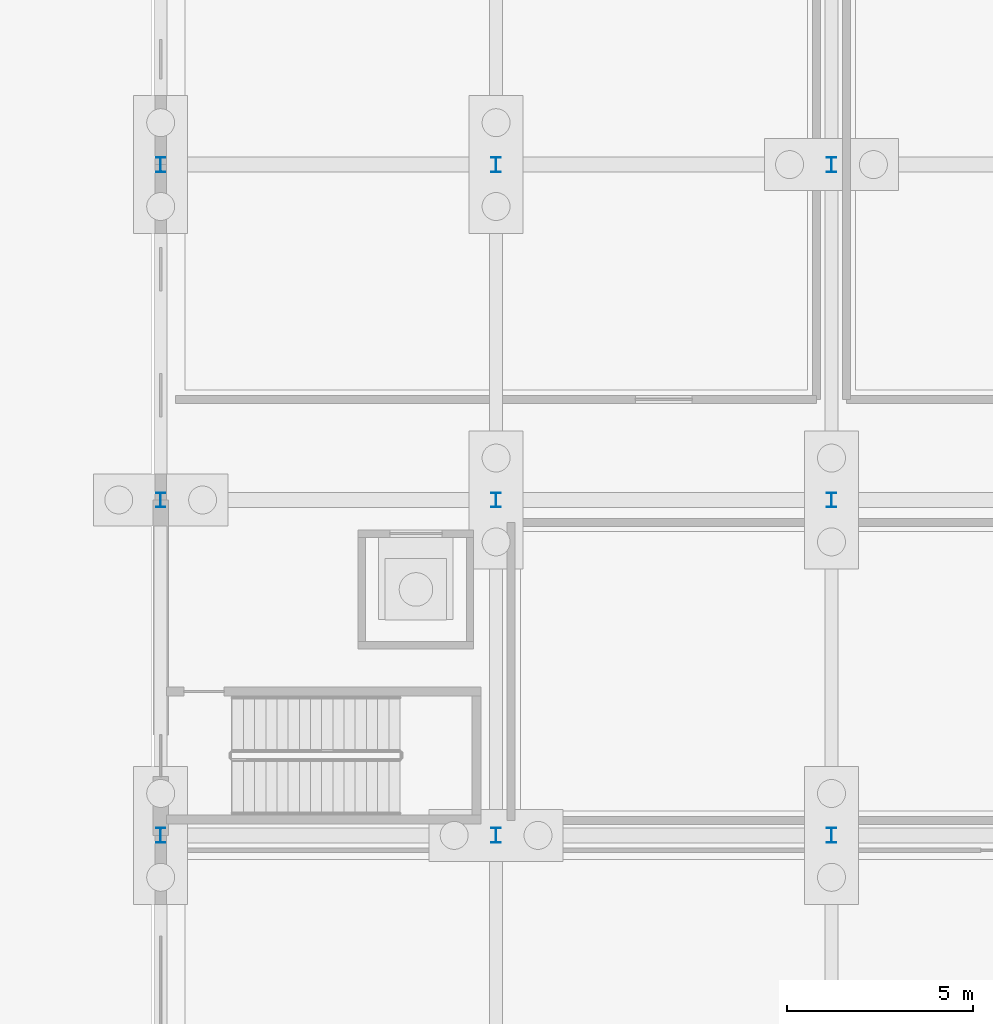
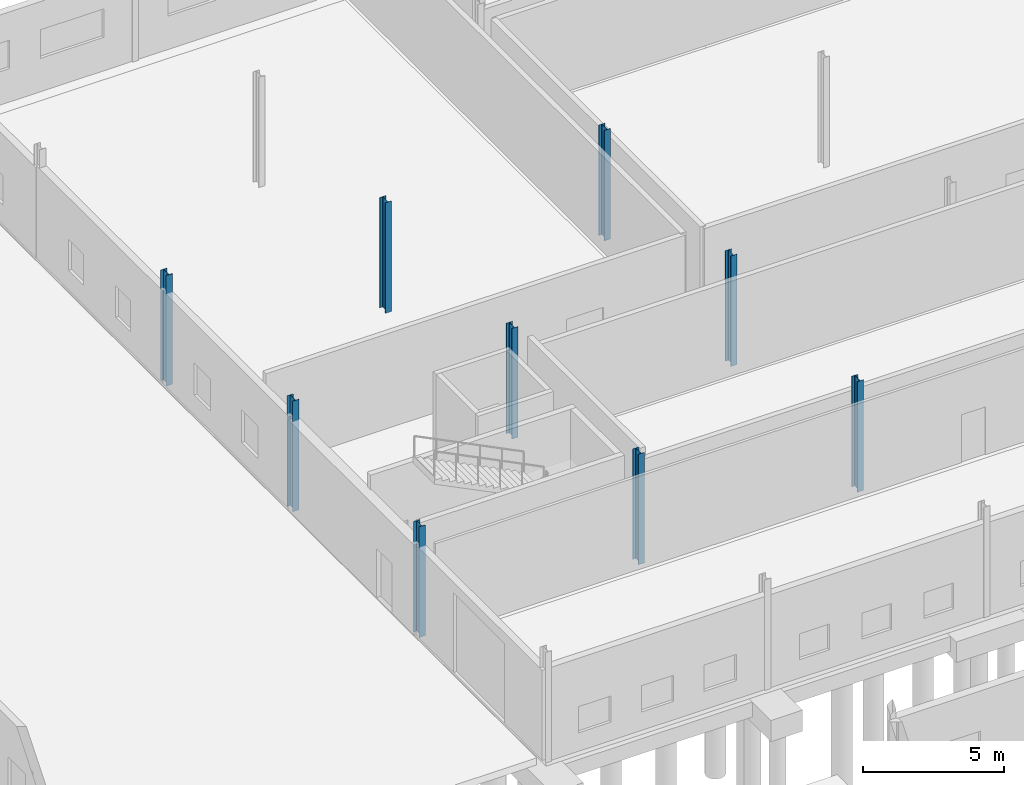
# One storey, part 39 of 112: 9 columns.
"""IFC4 building model written with IfcOpenShell, lengths in metres."""

from ifc_helpers import new_model, si_unit, direction, frame, origin, origin_2d, place, context, subcontext, project, spatial, i_section, extrude, material, material_profile, profile_set, type_object, element, save


model = new_model("IFC4")

# Units and contexts
model_context = context("Model", 3, precision=1e-05, world=origin(), true_north=direction((0.0, 1.0)))
body_context = subcontext(model_context, "Body", "Model", "MODEL_VIEW")
ifc_project = project(units=[si_unit("LENGTHUNIT", "METRE"), si_unit("AREAUNIT", "SQUARE_METRE"), si_unit("VOLUMEUNIT", "CUBIC_METRE"), si_unit("PLANEANGLEUNIT", "RADIAN"), si_unit("MASSUNIT", "GRAM", prefix="KILO")], contexts=[model_context])

# Site, building, storey
site_placement = place(None, origin())
site = spatial("IfcSite", under=ifc_project, at=site_placement, CompositionType="ELEMENT")
building_placement = place(site_placement, origin())
building = spatial("IfcBuilding", under=site, at=building_placement, Name="Tharagai Park Tramway Depot", CompositionType="ELEMENT")
storey_placement = place(building_placement, origin())
storey = spatial("IfcBuildingStorey", under=building, at=storey_placement, Name="L00", CompositionType="ELEMENT", Elevation=0.0)

# Columns
ifc_material = material(Name="Steel E350", Category="steel")
ifc_material_profile = material_profile(ifc_material, i_section(OverallWidth=0.25, OverallDepth=0.39990234375, WebThickness=0.010498046875, FlangeThickness=0.0126953125, FilletRadius=0.013916015625, at=origin_2d()), Name="ISHB 400")
ifc_profile_set = profile_set([ifc_material_profile], Name="Steel E350")
column_type = type_object("IfcColumnType", Name="CL-06", PredefinedType="COLUMN", material=ifc_profile_set)
for number, where, z_axis, x_axis, name in (
    (1, (162.0, 99.0, 0.0), (0.0, 0.0, 1.0), (1.0, 0.0, 0.0), "L00 Structural Column CL-06 (162,99)"),
    (2, (162.0, 108.0, 0.0), (0.0, 0.0, 1.0), (1.0, 0.0, 0.0), "L00 Structural Column CL-06 (162,108)"),
    (3, (162.0, 117.0, 0.0), (0.0, 0.0, 1.0), (1.0, 0.0, 0.0), "L00 Structural Column CL-06 (162,117)"),
    (4, (171.0, 99.0, 0.0), (0.0, 0.0, 1.0), (1.0, 0.0, 0.0), "L00 Structural Column CL-06 (171,99)"),
    (5, (171.0, 108.0, 0.0), (0.0, 0.0, 1.0), (1.0, 0.0, 0.0), "L00 Structural Column CL-06 (171,108)"),
    (6, (171.0, 117.0, 0.0), (0.0, 0.0, 1.0), (1.0, 0.0, 0.0), "L00 Structural Column CL-06 (171,117)"),
    (7, (180.0, 99.0, 0.0), (0.0, 0.0, 1.0), (1.0, 0.0, 0.0), "L00 Structural Column CL-06 (180,99)"),
    (8, (180.0, 108.0, 0.0), (0.0, 0.0, 1.0), (1.0, 0.0, 0.0), "L00 Structural Column CL-06 (180,108)"),
    (9, (180.0, 117.0, 0.0), (0.0, 0.0, 1.0), (1.0, 0.0, 0.0), "L00 Structural Column CL-06 (180,117)"),
):
    element("IfcColumn", number, at=place(storey_placement, frame(where, z_axis=z_axis, x_axis=x_axis)), inside=storey, type_object=column_type, Name=name, PredefinedType="COLUMN", context=body_context, shape_type="SweptSolid", body=[
        extrude(i_section(OverallWidth=0.25, OverallDepth=0.39990234375, WebThickness=0.010498046875, FlangeThickness=0.0126953125, FilletRadius=0.013916015625, at=origin_2d()), origin(), (0.0, 0.0, 1.0), 4.800048828125),
    ])

save(model, "model.ifc")
